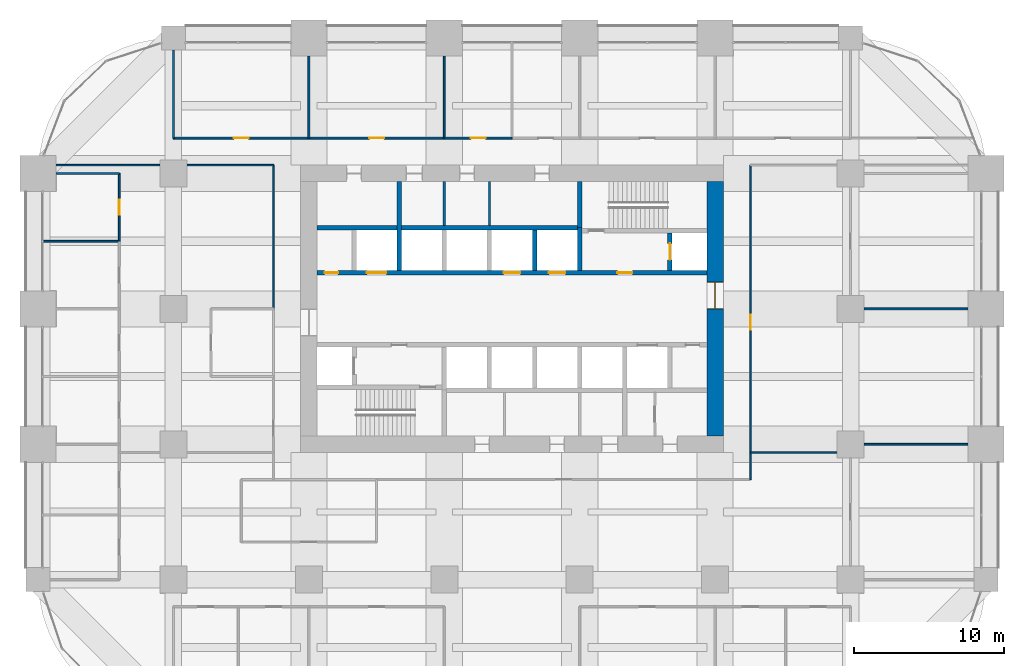
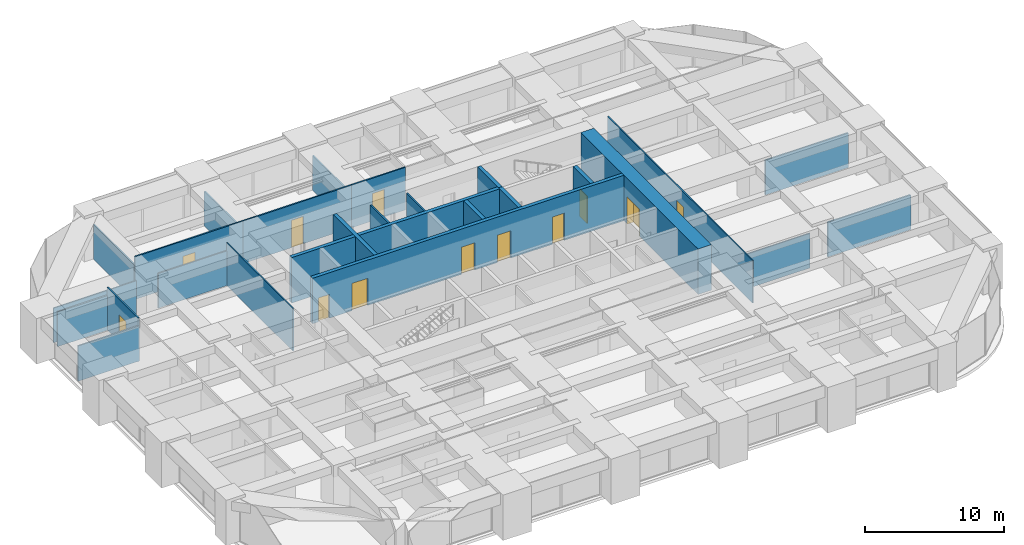
# One storey, part 40 of 43: 26 walls, 12 doors, 12 openings.
"""IFC4 building model written with IfcOpenShell, lengths in metres."""

from ifc_helpers import new_model, si_unit, direction, frame, frame_2d, origin, place, context, subcontext, project, spatial, rectangle, extrude, material, layer, layer_set, type_object, element, fill, save


model = new_model("IFC4")

# Units and contexts
model_context = context("Model", 3, precision=1e-05, world=origin(), true_north=direction((0.0, 1.0)))
body_context = subcontext(model_context, "Body", "Model", "MODEL_VIEW")
ifc_project = project(units=[si_unit("LENGTHUNIT", "METRE"), si_unit("AREAUNIT", "SQUARE_METRE"), si_unit("VOLUMEUNIT", "CUBIC_METRE"), si_unit("PLANEANGLEUNIT", "RADIAN"), si_unit("MASSUNIT", "GRAM", prefix="KILO")], contexts=[model_context])

# Site, building, storey
site_placement = place(None, origin())
site = spatial("IfcSite", under=ifc_project, at=site_placement, CompositionType="ELEMENT")
building_placement = place(site_placement, origin())
building = spatial("IfcBuilding", under=site, at=building_placement, Name="Zorevar Civic Tower", CompositionType="ELEMENT")
storey_placement = place(building_placement, frame((0.0, 0.0, 145.0)))
storey = spatial("IfcBuildingStorey", under=building, at=storey_placement, Name="L35", CompositionType="ELEMENT", Elevation=145.0)

# Wall, opening, door
ifc_material_1 = material(Name="Concrete C50/60", Category="concrete")
ifc_layer_1 = layer(ifc_material_1, 1.10009765625)
ifc_layer_set_1 = layer_set([ifc_layer_1], Name="Core wall 1100")
wall_type_1 = type_object("IfcWallType", Name="Core wall 1100", PredefinedType="SHEAR", material=ifc_layer_set_1)
wall_1_placement = place(storey_placement, frame((45.0, 18.550048828125, 0.0), z_axis=(0.0, 0.0, 1.0), x_axis=(0.0, 1.0, 0.0)))
wall_1 = element("IfcWall", 1, at=wall_1_placement, inside=storey, type_object=wall_type_1, Name="Core wall E L35", PredefinedType="SHEAR", context=body_context, shape_type="SweptSolid", body=[
    extrude(rectangle(XDim=16.89990234375, YDim=1.10009765625, at=frame_2d((8.449951171875, 0.0))), origin(), (0.0, 0.0, 1.0), 4.0),
])
opening_1_placement = place(wall_1_placement, frame((8.449951171875, 0.0, 0.0)))
opening_1 = element("IfcOpeningElement", 2, at=opening_1_placement, cuts=wall_1, Name="Opening L35.02", PredefinedType="OPENING", context=body_context, shape_type="SweptSolid", body=[
    extrude(rectangle(XDim=1.800048828125, YDim=2.39990234375, at=frame_2d((0.89990234375, 1.199951171875))), frame((0.0, 0.56005859375, 0.0), z_axis=(0.0, -1.0, 0.0), x_axis=(1.0, 0.0, 0.0)), (0.0, 0.0, 1.0), 1.1201171875),
])
ifc_material_2 = material(Name="Steel door set", Category="steel")
door_type_1 = type_object("IfcDoorType", Name="Fire door FD2 1800x2400", OperationType="DOUBLE_DOOR_DOUBLE_SWING", PredefinedType="DOOR", material=ifc_material_2)
door_1_placement = place(opening_1_placement, origin())
door_1 = element("IfcDoor", 3, at=door_1_placement, inside=storey, type_object=door_type_1, Name="Door L35 01", OperationType="DOUBLE_DOOR_DOUBLE_SWING", OverallHeight=2.39990234375, OverallWidth=1.800048828125, PredefinedType="DOOR", context=body_context, shape_type="SweptSolid", body=[
    extrude(rectangle(XDim=1.800048828125, YDim=2.39990234375, at=frame_2d((0.89990234375, 1.199951171875))), frame((0.0, 0.030029296875, 0.0), z_axis=(0.0, -1.0, 0.0), x_axis=(1.0, 0.0, 0.0)), (0.0, 0.0, 1.0), 0.06005859375),
    extrude(rectangle(XDim=0.04, YDim=2.39990234375, at=frame_2d((0.02001953125, 1.199951171875))), frame((0.0, 0.5498046875, 0.0), z_axis=(0.0, -1.0, 0.0), x_axis=(1.0, 0.0, 0.0)), (0.0, 0.0, 1.0), 1.099609375),
    extrude(rectangle(XDim=0.04, YDim=2.39990234375, at=frame_2d((1.780029296875, 1.199951171875))), frame((0.0, 0.5498046875, 0.0), z_axis=(0.0, -1.0, 0.0), x_axis=(1.0, 0.0, 0.0)), (0.0, 0.0, 1.0), 1.099609375),
    extrude(rectangle(XDim=1.800048828125, YDim=0.04, at=frame_2d((0.89990234375, 2.3798828125))), frame((0.0, 0.5498046875, 0.0), z_axis=(0.0, -1.0, 0.0), x_axis=(1.0, 0.0, 0.0)), (0.0, 0.0, 1.0), 1.099609375),
])
fill(opening_1, door_1)

# Walls
ifc_material_3 = material(Name="Laminated glass in black aluminium frame", Category="aluminium")
ifc_layer_2 = layer(ifc_material_3, 0.10009765625)
ifc_layer_set_2 = layer_set([ifc_layer_2], Name="Glazed partition 100")
wall_type_2 = type_object("IfcWallType", Name="Glazed partition 100", PredefinedType="PARTITIONING", material=ifc_layer_set_2)
wall_2_placement = place(storey_placement, frame((47.35009765625, 17.449951171875, 0.0), z_axis=(0.0, 0.0, 1.0), x_axis=(1.0, 0.0, 0.0)))
element("IfcWall", 4, at=wall_2_placement, inside=storey, type_object=wall_type_2, Name="Glazed partition 100 L35", PredefinedType="PARTITIONING", context=body_context, shape_type="SweptSolid", body=[
    extrude(rectangle(XDim=5.75, YDim=0.10009765625, at=frame_2d((2.875, 0.0))), origin(), (0.0, 0.0, 1.0), 3.050048828125),
])
wall_3_placement = place(storey_placement, frame((1.199951171875, 36.550048828125, 0.0), z_axis=(0.0, 0.0, 1.0), x_axis=(1.0, 0.0, 0.0)))
element("IfcWall", 5, at=wall_3_placement, inside=storey, type_object=wall_type_2, Name="Glazed partition 100 L35", PredefinedType="PARTITIONING", context=body_context, shape_type="SweptSolid", body=[
    extrude(rectangle(XDim=6.900146484375, YDim=0.10009765625, at=frame_2d((3.4501953125, 0.0))), origin(), (0.0, 0.0, 1.0), 3.050048828125),
])
wall_4_placement = place(storey_placement, frame((9.89990234375, 36.550048828125, 0.0), z_axis=(0.0, 0.0, 1.0), x_axis=(1.0, 0.0, 0.0)))
element("IfcWall", 6, at=wall_4_placement, inside=storey, type_object=wall_type_2, Name="Glazed partition 100 L35", PredefinedType="PARTITIONING", context=body_context, shape_type="SweptSolid", body=[
    extrude(rectangle(XDim=5.75, YDim=0.10009765625, at=frame_2d((2.875, 0.0))), origin(), (0.0, 0.0, 1.0), 3.050048828125),
])
wall_5_placement = place(storey_placement, frame((15.64990234375, 27.0, 0.0), z_axis=(0.0, 0.0, 1.0), x_axis=(0.0, 1.0, 0.0)))
element("IfcWall", 7, at=wall_5_placement, inside=storey, type_object=wall_type_2, Name="Glazed partition 100 L35", PredefinedType="PARTITIONING", context=body_context, shape_type="SweptSolid", body=[
    extrude(rectangle(XDim=9.550048828125, YDim=0.10009765625, at=frame_2d((4.77490234375, 0.0))), origin(), (0.0, 0.0, 1.0), 3.75),
])

# Wall, opening, door
wall_6_placement = place(storey_placement, frame((47.35009765625, 15.64990234375, 0.0), z_axis=(0.0, 0.0, 1.0), x_axis=(0.0, 1.0, 0.0)))
wall_6 = element("IfcWall", 8, at=wall_6_placement, inside=storey, type_object=wall_type_2, Name="Glazed partition 100 L35", PredefinedType="PARTITIONING", context=body_context, shape_type="SweptSolid", body=[
    extrude(rectangle(XDim=20.900146484375, YDim=0.10009765625, at=frame_2d((10.4501953125, 0.0))), origin(), (0.0, 0.0, 1.0), 3.75),
])
opening_2_placement = place(wall_6_placement, frame((9.949951171875, 0.0, 0.0)))
opening_2 = element("IfcOpeningElement", 9, at=opening_2_placement, cuts=wall_6, Name="Opening L35.40", PredefinedType="OPENING", context=body_context, shape_type="SweptSolid", body=[
    extrude(rectangle(XDim=1.0, YDim=2.39990234375, at=frame_2d((0.5, 1.199951171875))), frame((0.0, 0.06005859375, 0.0), z_axis=(0.0, -1.0, 0.0), x_axis=(1.0, 0.0, 0.0)), (0.0, 0.0, 1.0), 0.1201171875),
])
ifc_material_4 = material(Name="Timber door set", Category="wood")
door_type_2 = type_object("IfcDoorType", Name="Glazed door GD1 1000x2400", OperationType="SINGLE_SWING_LEFT", PredefinedType="DOOR", material=ifc_material_4)
door_2_placement = place(opening_2_placement, origin())
door_2 = element("IfcDoor", 10, at=door_2_placement, inside=storey, type_object=door_type_2, Name="Door L35 D1", OperationType="SINGLE_SWING_LEFT", OverallHeight=2.39990234375, OverallWidth=1.0, PredefinedType="DOOR", context=body_context, shape_type="SweptSolid", body=[
    extrude(rectangle(XDim=1.0, YDim=2.39990234375, at=frame_2d((0.5, 1.199951171875))), frame((0.0, 0.02001953125, 0.0), z_axis=(0.0, -1.0, 0.0), x_axis=(1.0, 0.0, 0.0)), (0.0, 0.0, 1.0), 0.0400390625),
])
fill(opening_2, door_2)

# Wall
ifc_material_5 = material(Name="Concrete C40/50", Category="concrete")
ifc_layer_3 = layer(ifc_material_5, 0.300048828125)
ifc_layer_set_3 = layer_set([ifc_layer_3], Name="Inner core wall 300")
wall_type_3 = type_object("IfcWallType", Name="Inner core wall 300", PredefinedType="SHEAR", material=ifc_layer_set_3)
wall_7_placement = place(storey_placement, frame((36.0, 32.39990234375, 0.0), z_axis=(0.0, 0.0, 1.0), x_axis=(0.0, 1.0, 0.0)))
element("IfcWall", 11, at=wall_7_placement, inside=storey, type_object=wall_type_3, Name="Inner core wall N01 L35", PredefinedType="SHEAR", context=body_context, shape_type="SweptSolid", body=[
    extrude(rectangle(XDim=3.050048828125, YDim=0.300048828125, at=frame_2d((1.52490234375, 0.0))), origin(), (0.0, 0.0, 1.0), 4.0),
])

# Wall, opening, door
wall_8_placement = place(storey_placement, frame((42.0, 29.550048828125, 0.0), z_axis=(0.0, 0.0, 1.0), x_axis=(0.0, 1.0, 0.0)))
wall_8 = element("IfcWall", 12, at=wall_8_placement, inside=storey, type_object=wall_type_3, Name="Inner core wall N02 L35", PredefinedType="SHEAR", context=body_context, shape_type="SweptSolid", body=[
    extrude(rectangle(XDim=2.5, YDim=0.300048828125, at=frame_2d((1.25, 0.0))), origin(), (0.0, 0.0, 1.0), 4.0),
])
opening_3_placement = place(wall_8_placement, frame((0.699951171875, 0.0, 0.0)))
opening_3 = element("IfcOpeningElement", 13, at=opening_3_placement, cuts=wall_8, Name="Opening L35.FL2", PredefinedType="OPENING", context=body_context, shape_type="SweptSolid", body=[
    extrude(rectangle(XDim=1.10009765625, YDim=2.39990234375, at=frame_2d((0.550048828125, 1.199951171875))), frame((0.0, 0.159912109375, 0.0), z_axis=(0.0, -1.0, 0.0), x_axis=(1.0, 0.0, 0.0)), (0.0, 0.0, 1.0), 0.320068359375),
])
ifc_material_6 = material(Name="Steel door set", Category="steel")
door_type_3 = type_object("IfcDoorType", Name="Firefighting lift landing door LD3 1100x2400", OperationType="DOUBLE_DOOR_SLIDING", PredefinedType="DOOR", material=ifc_material_6)
door_3_placement = place(opening_3_placement, origin())
door_3 = element("IfcDoor", 14, at=door_3_placement, inside=storey, type_object=door_type_3, Name="Landing door FL2 L35", OperationType="DOUBLE_DOOR_SLIDING", OverallHeight=2.39990234375, OverallWidth=1.10009765625, PredefinedType="DOOR", context=body_context, shape_type="SweptSolid", body=[
    extrude(rectangle(XDim=1.10009765625, YDim=2.39990234375, at=frame_2d((0.550048828125, 1.199951171875))), frame((0.0, 0.030029296875, 0.0), z_axis=(0.0, -1.0, 0.0), x_axis=(1.0, 0.0, 0.0)), (0.0, 0.0, 1.0), 0.06005859375),
])
fill(opening_3, door_3)

# Wall, openings, doors
wall_9_placement = place(storey_placement, frame((18.550048828125, 29.39990234375, 0.0), z_axis=(0.0, 0.0, 1.0), x_axis=(1.0, 0.0, 0.0)))
wall_9 = element("IfcWall", 15, at=wall_9_placement, inside=storey, type_object=wall_type_3, Name="Inner core wall N03 L35", PredefinedType="SHEAR", context=body_context, shape_type="SweptSolid", body=[
    extrude(rectangle(XDim=25.89990234375, YDim=0.300048828125, at=frame_2d((12.949951171875, 0.0))), origin(), (0.0, 0.0, 1.0), 4.0),
])
opening_4_placement = place(wall_9_placement, frame((19.949951171875, 0.0, 0.0)))
opening_4 = element("IfcOpeningElement", 16, at=opening_4_placement, cuts=wall_9, Name="Opening L35.14", PredefinedType="OPENING", context=body_context, shape_type="SweptSolid", body=[
    extrude(rectangle(XDim=1.0, YDim=2.39990234375, at=frame_2d((0.5, 1.199951171875))), frame((0.0, 0.159912109375, 0.0), z_axis=(0.0, -1.0, 0.0), x_axis=(1.0, 0.0, 0.0)), (0.0, 0.0, 1.0), 0.320068359375),
])
opening_5_placement = place(wall_9_placement, frame((0.5, 0.0, 0.0)))
opening_5 = element("IfcOpeningElement", 17, at=opening_5_placement, cuts=wall_9, Name="Opening L35.16", PredefinedType="OPENING", context=body_context, shape_type="SweptSolid", body=[
    extrude(rectangle(XDim=0.89990234375, YDim=2.10009765625, at=frame_2d((0.449951171875, 1.050048828125))), frame((0.0, 0.159912109375, 0.0), z_axis=(0.0, -1.0, 0.0), x_axis=(1.0, 0.0, 0.0)), (0.0, 0.0, 1.0), 0.320068359375),
])
opening_6_placement = place(wall_9_placement, frame((15.39990234375, 0.0, 0.0)))
opening_6 = element("IfcOpeningElement", 18, at=opening_6_placement, cuts=wall_9, Name="Opening L35.LM1", PredefinedType="OPENING", context=body_context, shape_type="SweptSolid", body=[
    extrude(rectangle(XDim=1.10009765625, YDim=2.39990234375, at=frame_2d((0.550048828125, 1.199951171875))), frame((0.0, 0.159912109375, 0.0), z_axis=(0.0, -1.0, 0.0), x_axis=(1.0, 0.0, 0.0)), (0.0, 0.0, 1.0), 0.320068359375),
])
opening_7_placement = place(wall_9_placement, frame((12.39990234375, 0.0, 0.0)))
opening_7 = element("IfcOpeningElement", 19, at=opening_7_placement, cuts=wall_9, Name="Opening L35.LM2", PredefinedType="OPENING", context=body_context, shape_type="SweptSolid", body=[
    extrude(rectangle(XDim=1.10009765625, YDim=2.39990234375, at=frame_2d((0.550048828125, 1.199951171875))), frame((0.0, 0.159912109375, 0.0), z_axis=(0.0, -1.0, 0.0), x_axis=(1.0, 0.0, 0.0)), (0.0, 0.0, 1.0), 0.320068359375),
])
opening_8_placement = place(wall_9_placement, frame((3.300048828125, 0.0, 0.0)))
opening_8 = element("IfcOpeningElement", 20, at=opening_8_placement, cuts=wall_9, Name="Opening L35.SL2", PredefinedType="OPENING", context=body_context, shape_type="SweptSolid", body=[
    extrude(rectangle(XDim=1.300048828125, YDim=2.39990234375, at=frame_2d((0.64990234375, 1.199951171875))), frame((0.0, 0.159912109375, 0.0), z_axis=(0.0, -1.0, 0.0), x_axis=(1.0, 0.0, 0.0)), (0.0, 0.0, 1.0), 0.320068359375),
])
ifc_material_7 = material(Name="Steel door set", Category="steel")
door_type_4 = type_object("IfcDoorType", Name="Fire door FD1 1000x2400", OperationType="SINGLE_SWING_LEFT", PredefinedType="DOOR", material=ifc_material_7)
door_4_placement = place(opening_4_placement, origin())
door_4 = element("IfcDoor", 21, at=door_4_placement, inside=storey, type_object=door_type_4, Name="Door L35 13", OperationType="SINGLE_SWING_RIGHT", OverallHeight=2.39990234375, OverallWidth=1.0, PredefinedType="DOOR", context=body_context, shape_type="SweptSolid", body=[
    extrude(rectangle(XDim=1.0, YDim=2.39990234375, at=frame_2d((0.5, 1.199951171875))), frame((0.0, 0.030029296875, 0.0), z_axis=(0.0, -1.0, 0.0), x_axis=(1.0, 0.0, 0.0)), (0.0, 0.0, 1.0), 0.06005859375),
])
fill(opening_4, door_4)
ifc_material_8 = material(Name="Steel door set", Category="steel")
door_type_5 = type_object("IfcDoorType", Name="Landing door LD1 1100x2400", OperationType="DOUBLE_DOOR_SLIDING", PredefinedType="DOOR", material=ifc_material_8)
door_5_placement = place(opening_6_placement, origin())
door_5 = element("IfcDoor", 22, at=door_5_placement, inside=storey, type_object=door_type_5, Name="Landing door LM1 L35", OperationType="DOUBLE_DOOR_SLIDING", OverallHeight=2.39990234375, OverallWidth=1.10009765625, PredefinedType="DOOR", context=body_context, shape_type="SweptSolid", body=[
    extrude(rectangle(XDim=1.10009765625, YDim=2.39990234375, at=frame_2d((0.550048828125, 1.199951171875))), frame((0.0, 0.02001953125, 0.0), z_axis=(0.0, -1.0, 0.0), x_axis=(1.0, 0.0, 0.0)), (0.0, 0.0, 1.0), 0.0400390625),
])
fill(opening_6, door_5)
door_6_placement = place(opening_7_placement, origin())
door_6 = element("IfcDoor", 23, at=door_6_placement, inside=storey, type_object=door_type_5, Name="Landing door LM2 L35", OperationType="DOUBLE_DOOR_SLIDING", OverallHeight=2.39990234375, OverallWidth=1.10009765625, PredefinedType="DOOR", context=body_context, shape_type="SweptSolid", body=[
    extrude(rectangle(XDim=1.10009765625, YDim=2.39990234375, at=frame_2d((0.550048828125, 1.199951171875))), frame((0.0, 0.02001953125, 0.0), z_axis=(0.0, -1.0, 0.0), x_axis=(1.0, 0.0, 0.0)), (0.0, 0.0, 1.0), 0.0400390625),
])
fill(opening_7, door_6)
ifc_material_9 = material(Name="Steel door set", Category="steel")
door_type_6 = type_object("IfcDoorType", Name="Landing door LD2 1300x2400", OperationType="DOUBLE_DOOR_SLIDING", PredefinedType="DOOR", material=ifc_material_9)
door_7_placement = place(opening_8_placement, origin())
door_7 = element("IfcDoor", 24, at=door_7_placement, inside=storey, type_object=door_type_6, Name="Landing door SL2 L35", OperationType="DOUBLE_DOOR_SLIDING", OverallHeight=2.39990234375, OverallWidth=1.300048828125, PredefinedType="DOOR", context=body_context, shape_type="SweptSolid", body=[
    extrude(rectangle(XDim=1.300048828125, YDim=2.39990234375, at=frame_2d((0.64990234375, 1.199951171875))), frame((0.0, 0.02001953125, 0.0), z_axis=(0.0, -1.0, 0.0), x_axis=(1.0, 0.0, 0.0)), (0.0, 0.0, 1.0), 0.0400390625),
])
fill(opening_8, door_7)
ifc_material_10 = material(Name="Steel door set", Category="steel")
door_type_7 = type_object("IfcDoorType", Name="Riser door RD1 900x2100", OperationType="SINGLE_SWING_LEFT", PredefinedType="DOOR", material=ifc_material_10)
door_8_placement = place(opening_5_placement, origin())
door_8 = element("IfcDoor", 25, at=door_8_placement, inside=storey, type_object=door_type_7, Name="Door L35 15", OperationType="SINGLE_SWING_RIGHT", OverallHeight=2.10009765625, OverallWidth=0.89990234375, PredefinedType="DOOR", context=body_context, shape_type="SweptSolid", body=[
    extrude(rectangle(XDim=0.89990234375, YDim=2.10009765625, at=frame_2d((0.449951171875, 1.050048828125))), frame((0.0, 0.030029296875, 0.0), z_axis=(0.0, -1.0, 0.0), x_axis=(1.0, 0.0, 0.0)), (0.0, 0.0, 1.0), 0.06005859375),
])
fill(opening_5, door_8)

# Walls
wall_10_placement = place(storey_placement, frame((18.550048828125, 32.39990234375, 0.0), z_axis=(0.0, 0.0, 1.0), x_axis=(1.0, 0.0, 0.0)))
element("IfcWall", 26, at=wall_10_placement, inside=storey, type_object=wall_type_3, Name="Inner core wall N04 L35", PredefinedType="SHEAR", context=body_context, shape_type="SweptSolid", body=[
    extrude(rectangle(XDim=17.300048828125, YDim=0.300048828125, at=frame_2d((8.64990234375, 0.0))), origin(), (0.0, 0.0, 1.0), 4.0),
])
wall_11_placement = place(storey_placement, frame((33.0, 29.550048828125, 0.0), z_axis=(0.0, 0.0, 1.0), x_axis=(0.0, 1.0, 0.0)))
element("IfcWall", 27, at=wall_11_placement, inside=storey, type_object=wall_type_3, Name="Inner core wall N05 L35", PredefinedType="SHEAR", context=body_context, shape_type="SweptSolid", body=[
    extrude(rectangle(XDim=2.699951171875, YDim=0.300048828125, at=frame_2d((1.35009765625, 0.0))), origin(), (0.0, 0.0, 1.0), 4.0),
])
wall_12_placement = place(storey_placement, frame((24.0, 29.550048828125, 0.0), z_axis=(0.0, 0.0, 1.0), x_axis=(0.0, 1.0, 0.0)))
element("IfcWall", 28, at=wall_12_placement, inside=storey, type_object=wall_type_3, Name="Inner core wall N08 L35", PredefinedType="SHEAR", context=body_context, shape_type="SweptSolid", body=[
    extrude(rectangle(XDim=5.89990234375, YDim=0.300048828125, at=frame_2d((2.949951171875, 0.0))), origin(), (0.0, 0.0, 1.0), 4.0),
])
wall_13_placement = place(storey_placement, frame((36.0, 29.550048828125, 0.0), z_axis=(0.0, 0.0, 1.0), x_axis=(0.0, 1.0, 0.0)))
element("IfcWall", 29, at=wall_13_placement, inside=storey, type_object=wall_type_3, Name="Inner core wall N10 L35", PredefinedType="SHEAR", context=body_context, shape_type="SweptSolid", body=[
    extrude(rectangle(XDim=2.849853515625, YDim=0.300048828125, at=frame_2d((1.4248046875, 0.0))), origin(), (0.0, 0.0, 1.0), 4.0),
])
ifc_material_11 = material(Name="Gypsum board on steel studs", Category="steel")
ifc_layer_4 = layer(ifc_material_11, 0.1201171875)
ifc_layer_set_4 = layer_set([ifc_layer_4], Name="Partition 120")
wall_type_4 = type_object("IfcWallType", Name="Partition 120", PredefinedType="PARTITIONING", material=ifc_layer_set_4)
for number, where, z_axis, x_axis, name in (
    (30, (54.89990234375, 18.0, 0.0), (0.0, 0.0, 1.0), (1.0, 0.0, 0.0), "Partition 120 L35"),
    (31, (54.89990234375, 27.0, 0.0), (0.0, 0.0, 1.0), (1.0, 0.0, 0.0), "Partition 120 L35"),
):
    element("IfcWall", number, at=place(storey_placement, frame(where, z_axis=z_axis, x_axis=x_axis)), inside=storey, type_object=wall_type_4, Name=name, PredefinedType="PARTITIONING", context=body_context, shape_type="SweptSolid", body=[
        extrude(rectangle(XDim=6.900146484375, YDim=0.1201171875, at=frame_2d((3.4501953125, 0.0))), origin(), (0.0, 0.0, 1.0), 3.050048828125),
    ])
wall_14_placement = place(storey_placement, frame((0.31005859375, 31.5, 0.0), z_axis=(0.0, 0.0, 1.0), x_axis=(1.0, 0.0, 0.0)))
element("IfcWall", 32, at=wall_14_placement, inside=storey, type_object=wall_type_4, Name="Partition 120 L35", PredefinedType="PARTITIONING", context=body_context, shape_type="SweptSolid", body=[
    extrude(rectangle(XDim=5.08984375, YDim=0.1201171875, at=frame_2d((2.544921875, 0.0))), origin(), (0.0, 0.0, 1.0), 3.10009765625),
])
wall_15_placement = place(storey_placement, frame((1.199951171875, 36.0, 0.0), z_axis=(0.0, 0.0, 1.0), x_axis=(1.0, 0.0, 0.0)))
element("IfcWall", 33, at=wall_15_placement, inside=storey, type_object=wall_type_4, Name="Partition 120 L35", PredefinedType="PARTITIONING", context=body_context, shape_type="SweptSolid", body=[
    extrude(rectangle(XDim=4.199951171875, YDim=0.1201171875, at=frame_2d((2.10009765625, 0.0))), origin(), (0.0, 0.0, 1.0), 3.050048828125),
])

# Wall, opening, door
wall_16_placement = place(storey_placement, frame((9.0, 38.35009765625, 0.0), z_axis=(0.0, 0.0, 1.0), x_axis=(1.0, 0.0, 0.0)))
wall_16 = element("IfcWall", 34, at=wall_16_placement, inside=storey, type_object=wall_type_4, Name="Partition 120 L35", PredefinedType="PARTITIONING", context=body_context, shape_type="SweptSolid", body=[
    extrude(rectangle(XDim=9.0, YDim=0.1201171875, at=frame_2d((4.5, 0.0))), origin(), (0.0, 0.0, 1.0), 3.75),
])
opening_9_placement = place(wall_16_placement, frame((4.0, 0.0, 0.0)))
opening_9 = element("IfcOpeningElement", 35, at=opening_9_placement, cuts=wall_16, Name="Opening L35.25", PredefinedType="OPENING", context=body_context, shape_type="SweptSolid", body=[
    extrude(rectangle(XDim=1.0, YDim=2.39990234375, at=frame_2d((0.5, 1.199951171875))), frame((0.0, 0.070068359375, 0.0), z_axis=(0.0, -1.0, 0.0), x_axis=(1.0, 0.0, 0.0)), (0.0, 0.0, 1.0), 0.14013671875),
])
ifc_material_12 = material(Name="Timber door set", Category="wood")
door_type_8 = type_object("IfcDoorType", Name="Door D1 1000x2400", OperationType="SINGLE_SWING_LEFT", PredefinedType="DOOR", material=ifc_material_12)
door_9_placement = place(opening_9_placement, origin())
door_9 = element("IfcDoor", 36, at=door_9_placement, inside=storey, type_object=door_type_8, Name="Door L35 D1", OperationType="SINGLE_SWING_LEFT", OverallHeight=2.39990234375, OverallWidth=1.0, PredefinedType="DOOR", context=body_context, shape_type="SweptSolid", body=[
    extrude(rectangle(XDim=1.0, YDim=2.39990234375, at=frame_2d((0.5, 1.199951171875))), frame((0.0, 0.02490234375, 0.0), z_axis=(0.0, -1.0, 0.0), x_axis=(1.0, 0.0, 0.0)), (0.0, 0.0, 1.0), 0.050048828125),
])
fill(opening_9, door_9)

wall_17_placement = place(storey_placement, frame((18.0, 38.35009765625, 0.0), z_axis=(0.0, 0.0, 1.0), x_axis=(1.0, 0.0, 0.0)))
wall_17 = element("IfcWall", 37, at=wall_17_placement, inside=storey, type_object=wall_type_4, Name="Partition 120 L35", PredefinedType="PARTITIONING", context=body_context, shape_type="SweptSolid", body=[
    extrude(rectangle(XDim=9.0, YDim=0.1201171875, at=frame_2d((4.5, 0.0))), origin(), (0.0, 0.0, 1.0), 3.75),
])
opening_10_placement = place(wall_17_placement, frame((4.0, 0.0, 0.0)))
opening_10 = element("IfcOpeningElement", 38, at=opening_10_placement, cuts=wall_17, Name="Opening L35.26", PredefinedType="OPENING", context=body_context, shape_type="SweptSolid", body=[
    extrude(rectangle(XDim=1.0, YDim=2.39990234375, at=frame_2d((0.5, 1.199951171875))), frame((0.0, 0.070068359375, 0.0), z_axis=(0.0, -1.0, 0.0), x_axis=(1.0, 0.0, 0.0)), (0.0, 0.0, 1.0), 0.14013671875),
])
door_10_placement = place(opening_10_placement, origin())
door_10 = element("IfcDoor", 39, at=door_10_placement, inside=storey, type_object=door_type_8, Name="Door L35 D1", OperationType="SINGLE_SWING_LEFT", OverallHeight=2.39990234375, OverallWidth=1.0, PredefinedType="DOOR", context=body_context, shape_type="SweptSolid", body=[
    extrude(rectangle(XDim=1.0, YDim=2.39990234375, at=frame_2d((0.5, 1.199951171875))), frame((0.0, 0.02490234375, 0.0), z_axis=(0.0, -1.0, 0.0), x_axis=(1.0, 0.0, 0.0)), (0.0, 0.0, 1.0), 0.050048828125),
])
fill(opening_10, door_10)

wall_18_placement = place(storey_placement, frame((27.0, 38.35009765625, 0.0), z_axis=(0.0, 0.0, 1.0), x_axis=(1.0, 0.0, 0.0)))
wall_18 = element("IfcWall", 40, at=wall_18_placement, inside=storey, type_object=wall_type_4, Name="Partition 120 L35", PredefinedType="PARTITIONING", context=body_context, shape_type="SweptSolid", body=[
    extrude(rectangle(XDim=4.5, YDim=0.1201171875, at=frame_2d((2.25, 0.0))), origin(), (0.0, 0.0, 1.0), 3.75),
])
opening_11_placement = place(wall_18_placement, frame((1.75, 0.0, 0.0)))
opening_11 = element("IfcOpeningElement", 41, at=opening_11_placement, cuts=wall_18, Name="Opening L35.27", PredefinedType="OPENING", context=body_context, shape_type="SweptSolid", body=[
    extrude(rectangle(XDim=1.0, YDim=2.39990234375, at=frame_2d((0.5, 1.199951171875))), frame((0.0, 0.070068359375, 0.0), z_axis=(0.0, -1.0, 0.0), x_axis=(1.0, 0.0, 0.0)), (0.0, 0.0, 1.0), 0.14013671875),
])
door_11_placement = place(opening_11_placement, origin())
door_11 = element("IfcDoor", 42, at=door_11_placement, inside=storey, type_object=door_type_8, Name="Door L35 D1", OperationType="SINGLE_SWING_LEFT", OverallHeight=2.39990234375, OverallWidth=1.0, PredefinedType="DOOR", context=body_context, shape_type="SweptSolid", body=[
    extrude(rectangle(XDim=1.0, YDim=2.39990234375, at=frame_2d((0.5, 1.199951171875))), frame((0.0, 0.02490234375, 0.0), z_axis=(0.0, -1.0, 0.0), x_axis=(1.0, 0.0, 0.0)), (0.0, 0.0, 1.0), 0.050048828125),
])
fill(opening_11, door_11)

wall_19_placement = place(storey_placement, frame((5.39990234375, 31.5, 0.0), z_axis=(0.0, 0.0, 1.0), x_axis=(0.0, 1.0, 0.0)))
wall_19 = element("IfcWall", 43, at=wall_19_placement, inside=storey, type_object=wall_type_4, Name="Partition 120 L35", PredefinedType="PARTITIONING", context=body_context, shape_type="SweptSolid", body=[
    extrude(rectangle(XDim=4.5, YDim=0.1201171875, at=frame_2d((2.25, 0.0))), origin(), (0.0, 0.0, 1.0), 3.75),
])
opening_12_placement = place(wall_19_placement, frame((1.75, 0.0, 0.0)))
opening_12 = element("IfcOpeningElement", 44, at=opening_12_placement, cuts=wall_19, Name="Opening L35.37", PredefinedType="OPENING", context=body_context, shape_type="SweptSolid", body=[
    extrude(rectangle(XDim=1.0, YDim=2.39990234375, at=frame_2d((0.5, 1.199951171875))), frame((0.0, 0.070068359375, 0.0), z_axis=(0.0, -1.0, 0.0), x_axis=(1.0, 0.0, 0.0)), (0.0, 0.0, 1.0), 0.14013671875),
])
door_12_placement = place(opening_12_placement, origin())
door_12 = element("IfcDoor", 45, at=door_12_placement, inside=storey, type_object=door_type_8, Name="Door L35 D1", OperationType="SINGLE_SWING_RIGHT", OverallHeight=2.39990234375, OverallWidth=1.0, PredefinedType="DOOR", context=body_context, shape_type="SweptSolid", body=[
    extrude(rectangle(XDim=1.0, YDim=2.39990234375, at=frame_2d((0.5, 1.199951171875))), frame((0.0, 0.02490234375, 0.0), z_axis=(0.0, -1.0, 0.0), x_axis=(1.0, 0.0, 0.0)), (0.0, 0.0, 1.0), 0.050048828125),
])
fill(opening_12, door_12)

# Walls
wall_20_placement = place(storey_placement, frame((9.0, 38.35009765625, 0.0), z_axis=(0.0, 0.0, 1.0), x_axis=(0.0, 1.0, 0.0)))
element("IfcWall", 46, at=wall_20_placement, inside=storey, type_object=wall_type_4, Name="Partition 120 L35", PredefinedType="PARTITIONING", context=body_context, shape_type="SweptSolid", body=[
    extrude(rectangle(XDim=5.849853515625, YDim=0.1201171875, at=frame_2d((2.9248046875, 0.0))), origin(), (0.0, 0.0, 1.0), 3.050048828125),
])
for number, where, z_axis, x_axis, name in (
    (47, (18.0, 38.35009765625, 0.0), (0.0, 0.0, 1.0), (0.0, 1.0, 0.0), "Partition 120 L35"),
    (48, (27.0, 38.35009765625, 0.0), (0.0, 0.0, 1.0), (0.0, 1.0, 0.0), "Partition 120 L35"),
):
    element("IfcWall", number, at=place(storey_placement, frame(where, z_axis=z_axis, x_axis=x_axis)), inside=storey, type_object=wall_type_4, Name=name, PredefinedType="PARTITIONING", context=body_context, shape_type="SweptSolid", body=[
        extrude(rectangle(XDim=5.449951171875, YDim=0.1201171875, at=frame_2d((2.72509765625, 0.0))), origin(), (0.0, 0.0, 1.0), 3.050048828125),
    ])
wall_21_placement = place(storey_placement, frame((30.0, 32.550048828125, 0.0), z_axis=(0.0, 0.0, 1.0), x_axis=(0.0, 1.0, 0.0)))
element("IfcWall", 49, at=wall_21_placement, inside=storey, type_object=wall_type_4, Name="Partition L35", PredefinedType="PARTITIONING", context=body_context, shape_type="SweptSolid", body=[
    extrude(rectangle(XDim=2.89990234375, YDim=0.1201171875, at=frame_2d((1.449951171875, 0.0))), origin(), (0.0, 0.0, 1.0), 3.75),
])
ifc_material_13 = material(Name="Gypsum board on steel studs, moisture resistant", Category="steel")
ifc_layer_5 = layer(ifc_material_13, 0.14990234375)
ifc_layer_set_5 = layer_set([ifc_layer_5], Name="WC partition 150")
wall_type_5 = type_object("IfcWallType", Name="WC partition 150", PredefinedType="PARTITIONING", material=ifc_layer_set_5)
wall_22_placement = place(storey_placement, frame((27.0, 32.550048828125, 0.0), z_axis=(0.0, 0.0, 1.0), x_axis=(0.0, 1.0, 0.0)))
element("IfcWall", 50, at=wall_22_placement, inside=storey, type_object=wall_type_5, Name="WC partition L35", PredefinedType="PARTITIONING", context=body_context, shape_type="SweptSolid", body=[
    extrude(rectangle(XDim=2.89990234375, YDim=0.14990234375, at=frame_2d((1.449951171875, 0.0))), origin(), (0.0, 0.0, 1.0), 3.75),
])

save(model, "model.ifc")
